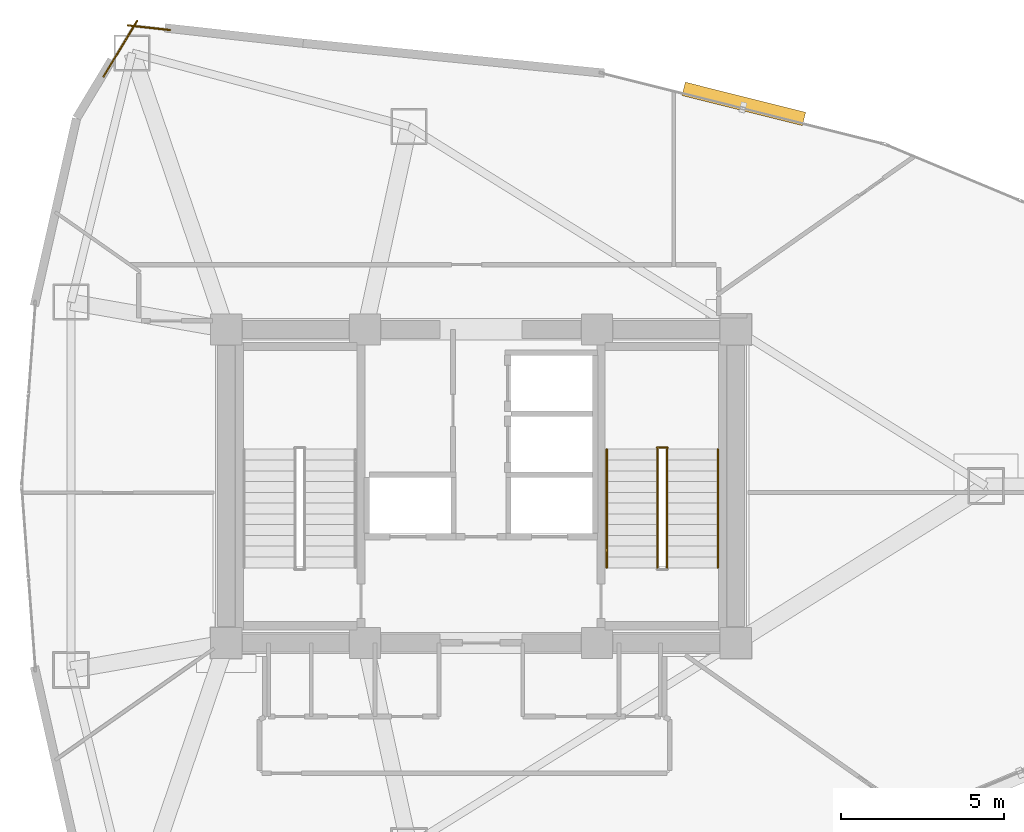
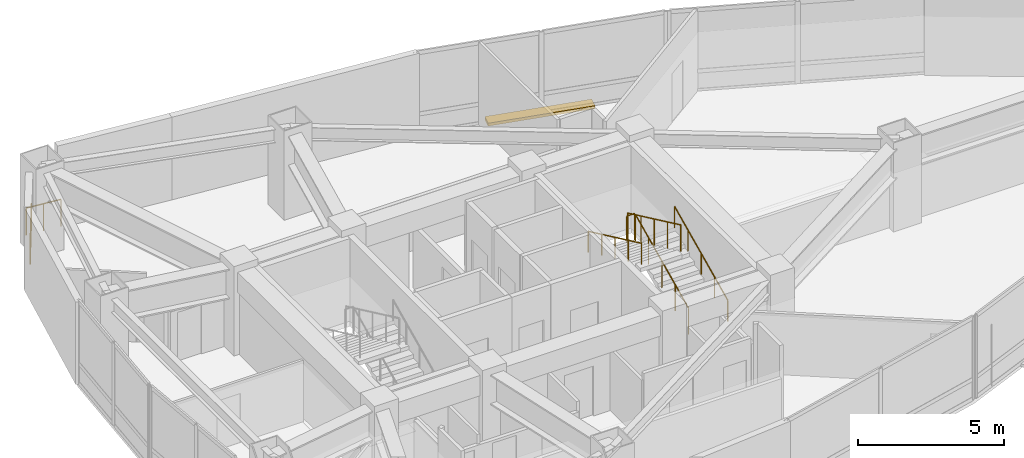
# One storey, part 17 of 18: 7 railings, 1 shading device.
"""IFC4 building model written with IfcOpenShell, lengths in metres."""

from ifc_helpers import new_model, si_unit, direction, frame, origin, origin_2d, place, context, subcontext, project, spatial, rectangle, circle, extrude, material, layer, layer_set, type_object, element, save


model = new_model("IFC4")

# Units and contexts
model_context = context("Model", 3, precision=1e-05, world=origin(), true_north=direction((0.0, 1.0)))
body_context = subcontext(model_context, "Body", "Model", "MODEL_VIEW")
ifc_project = project(units=[si_unit("LENGTHUNIT", "METRE"), si_unit("AREAUNIT", "SQUARE_METRE"), si_unit("VOLUMEUNIT", "CUBIC_METRE"), si_unit("PLANEANGLEUNIT", "RADIAN"), si_unit("MASSUNIT", "GRAM", prefix="KILO")], contexts=[model_context])

# Site, building, storey
site_placement = place(None, origin())
site = spatial("IfcSite", under=ifc_project, at=site_placement, CompositionType="ELEMENT")
building_placement = place(site_placement, origin())
building = spatial("IfcBuilding", under=site, at=building_placement, Name="Menara Vayukalpa", CompositionType="ELEMENT")
storey_placement = place(building_placement, frame((0.0, 0.0, 169.199951171875)))
storey = spatial("IfcBuildingStorey", under=building, at=storey_placement, Name="L42", CompositionType="ELEMENT", Elevation=169.199951171875)

# Railings
ifc_material_1 = material(Name="Laminated Glass and Stainless Steel 316 Guardrail", Category="steel")
railing_type_1 = type_object("IfcRailingType", Name="RLG-EXT115", PredefinedType="GUARDRAIL", material=ifc_material_1)
railing_1_placement = place(storey_placement, frame((16.074951171875, 35.964111328125, 0.0)))
element("IfcRailing", 1, at=railing_1_placement, inside=storey, type_object=railing_type_1, Name="L42 Column Corner Spandrel Guardrail 07-1", PredefinedType="GUARDRAIL", context=body_context, shape_type="SweptSolid", body=[
    extrude(circle(Radius=0.02392578125, at=origin_2d()), frame((0.0, 0.0, 1.1259765625), z_axis=(-0.99393179446, 0.109998127083, 0.0), x_axis=(-0.109998127083, -0.99393179446, 0.0)), (0.0, 0.0, 1.0), 1.29833984375),
    extrude(circle(Radius=0.02099609375, at=origin_2d()), origin(), (0.0, 0.0, 1.0), 1.101806640625),
    extrude(circle(Radius=0.02099609375, at=origin_2d()), frame((-0.645263671875, 0.0712890625, 0.0)), (0.0, 0.0, 1.0), 1.101806640625),
    extrude(circle(Radius=0.02099609375, at=origin_2d()), frame((-1.29052734375, 0.142822265625, 0.0)), (0.0, 0.0, 1.0), 1.101806640625),
])
railing_2_placement = place(storey_placement, frame((15.074462890625, 36.250244140625, 0.0)))
element("IfcRailing", 2, at=railing_2_placement, inside=storey, type_object=railing_type_1, Name="L42 Column Corner Spandrel Guardrail 08-1", PredefinedType="GUARDRAIL", context=body_context, shape_type="SweptSolid", body=[
    extrude(circle(Radius=0.02392578125, at=origin_2d()), frame((0.0, 0.0, 1.1259765625), z_axis=(-0.516238473258, -0.856444883649, 0.0), x_axis=(0.856444883649, -0.516238473258, 0.0)), (0.0, 0.0, 1.0), 1.9970703125),
    extrude(circle(Radius=0.02099609375, at=origin_2d()), origin(), (0.0, 0.0, 1.0), 1.101806640625),
    extrude(circle(Radius=0.02099609375, at=origin_2d()), frame((-0.515625, -0.855224609375, 0.0)), (0.0, 0.0, 1.0), 1.101806640625),
    extrude(circle(Radius=0.02099609375, at=origin_2d()), frame((-1.031005859375, -1.71044921875, 0.0)), (0.0, 0.0, 1.0), 1.101806640625),
])
ifc_material_2 = material(Name="Powder-Coated Galvanised Steel Guardrail", Category="steel")
railing_type_2 = type_object("IfcRailingType", Name="RLG-STG110", PredefinedType="GUARDRAIL", material=ifc_material_2)
railing_3_placement = place(storey_placement, frame((31.300048828125, 19.5, 0.155029296875)))
element("IfcRailing", 3, at=railing_3_placement, inside=storey, type_object=railing_type_2, Name="L42 ST-2 stair guard 1", PredefinedType="GUARDRAIL", context=body_context, shape_type="SweptSolid", body=[
    extrude(circle(Radius=0.02392578125, at=origin_2d()), frame((0.0, 0.0, 1.09619140625), z_axis=(0.0, 0.90511648382, 0.425163675209), x_axis=(-1.0, 0.0, 0.0)), (0.0, 0.0, 1.0), 4.010498046875),
    extrude(circle(Radius=0.02099609375, at=origin_2d()), origin(), (0.0, 0.0, 1.0), 1.072021484375),
    extrude(circle(Radius=0.02099609375, at=origin_2d()), frame((0.0, 0.907470703125, 0.42626953125)), (0.0, 0.0, 1.0), 1.072021484375),
    extrude(circle(Radius=0.02099609375, at=origin_2d()), frame((0.0, 1.81494140625, 0.8525390625)), (0.0, 0.0, 1.0), 1.072021484375),
    extrude(circle(Radius=0.02099609375, at=origin_2d()), frame((0.0, 2.722412109375, 1.27880859375)), (0.0, 0.0, 1.0), 1.072021484375),
    extrude(circle(Radius=0.02099609375, at=origin_2d()), frame((0.0, 3.6298828125, 1.705078125)), (0.0, 0.0, 1.0), 1.072021484375),
])
railing_4_placement = place(storey_placement, frame((31.31005859375, 23.179931640625, 1.860107421875)))
element("IfcRailing", 4, at=railing_4_placement, inside=storey, type_object=railing_type_2, Name="L42 ST-2 stair guard 2", PredefinedType="GUARDRAIL", context=body_context, shape_type="SweptSolid", body=[
    extrude(circle(Radius=0.02392578125, at=origin_2d()), frame((0.0, 0.0, 1.09619140625), z_axis=(-1.0, 0.0, 0.0), x_axis=(0.0, -1.0, 0.0)), (0.0, 0.0, 1.0), 0.320068359375),
    extrude(circle(Radius=0.02099609375, at=origin_2d()), origin(), (0.0, 0.0, 1.0), 1.072021484375),
    extrude(circle(Radius=0.02099609375, at=origin_2d()), frame((-0.320068359375, 0.0, 0.0)), (0.0, 0.0, 1.0), 1.072021484375),
])
railing_5_placement = place(storey_placement, frame((31.0, 23.1298828125, 2.01513671875)))
element("IfcRailing", 5, at=railing_5_placement, inside=storey, type_object=railing_type_2, Name="L42 ST-2 stair guard 3", PredefinedType="GUARDRAIL", context=body_context, shape_type="SweptSolid", body=[
    extrude(circle(Radius=0.02392578125, at=origin_2d()), frame((0.0, 0.0, 1.09619140625), z_axis=(0.0, -0.90513990983, 0.425113800803), x_axis=(1.0, 0.0, 0.0)), (0.0, 0.0, 1.0), 4.01025390625),
    extrude(circle(Radius=0.02099609375, at=origin_2d()), origin(), (0.0, 0.0, 1.0), 1.072021484375),
    extrude(circle(Radius=0.02099609375, at=origin_2d()), frame((0.0, -0.907470703125, 0.42626953125)), (0.0, 0.0, 1.0), 1.072021484375),
    extrude(circle(Radius=0.02099609375, at=origin_2d()), frame((0.0, -1.81494140625, 0.8525390625)), (0.0, 0.0, 1.0), 1.072021484375),
    extrude(circle(Radius=0.02099609375, at=origin_2d()), frame((0.0, -2.722412109375, 1.278564453125)), (0.0, 0.0, 1.0), 1.072021484375),
    extrude(circle(Radius=0.02099609375, at=origin_2d()), frame((0.0, -3.6298828125, 1.704833984375)), (0.0, 0.0, 1.0), 1.072021484375),
])
ifc_material_3 = material(Name="Stainless Steel 316 Tubular Handrail", Category="steel")
railing_type_3 = type_object("IfcRailingType", Name="RLG-STH090", PredefinedType="HANDRAIL", material=ifc_material_3)
railing_6_placement = place(storey_placement, frame((32.85009765625, 19.5, 0.155029296875)))
element("IfcRailing", 6, at=railing_6_placement, inside=storey, type_object=railing_type_3, Name="L42 ST-2 stair handrail 1", PredefinedType="HANDRAIL", context=body_context, shape_type="SweptSolid", body=[
    extrude(circle(Radius=0.02392578125, at=origin_2d()), frame((0.0, 0.0, 0.8759765625), z_axis=(0.0, 0.90511648382, 0.425163675209), x_axis=(-1.0, 0.0, 0.0)), (0.0, 0.0, 1.0), 4.010498046875),
    extrude(circle(Radius=0.02099609375, at=origin_2d()), origin(), (0.0, 0.0, 1.0), 0.851806640625),
    extrude(circle(Radius=0.02099609375, at=origin_2d()), frame((0.0, 0.907470703125, 0.42626953125)), (0.0, 0.0, 1.0), 0.851806640625),
    extrude(circle(Radius=0.02099609375, at=origin_2d()), frame((0.0, 1.81494140625, 0.8525390625)), (0.0, 0.0, 1.0), 0.851806640625),
    extrude(circle(Radius=0.02099609375, at=origin_2d()), frame((0.0, 2.722412109375, 1.27880859375)), (0.0, 0.0, 1.0), 0.851806640625),
    extrude(circle(Radius=0.02099609375, at=origin_2d()), frame((0.0, 3.6298828125, 1.705078125)), (0.0, 0.0, 1.0), 0.851806640625),
])
railing_7_placement = place(storey_placement, frame((29.449951171875, 23.1298828125, 2.01513671875)))
element("IfcRailing", 7, at=railing_7_placement, inside=storey, type_object=railing_type_3, Name="L42 ST-2 stair handrail 2", PredefinedType="HANDRAIL", context=body_context, shape_type="SweptSolid", body=[
    extrude(circle(Radius=0.02392578125, at=origin_2d()), frame((0.0, 0.0, 0.8759765625), z_axis=(0.0, -0.90513990983, 0.425113800803), x_axis=(1.0, 0.0, 0.0)), (0.0, 0.0, 1.0), 4.01025390625),
    extrude(circle(Radius=0.02099609375, at=origin_2d()), origin(), (0.0, 0.0, 1.0), 0.851806640625),
    extrude(circle(Radius=0.02099609375, at=origin_2d()), frame((0.0, -0.907470703125, 0.42626953125)), (0.0, 0.0, 1.0), 0.851806640625),
    extrude(circle(Radius=0.02099609375, at=origin_2d()), frame((0.0, -1.81494140625, 0.8525390625)), (0.0, 0.0, 1.0), 0.851806640625),
    extrude(circle(Radius=0.02099609375, at=origin_2d()), frame((0.0, -2.722412109375, 1.278564453125)), (0.0, 0.0, 1.0), 0.851806640625),
    extrude(circle(Radius=0.02099609375, at=origin_2d()), frame((0.0, -3.6298828125, 1.704833984375)), (0.0, 0.0, 1.0), 0.851806640625),
])

# Shading device
ifc_material_4 = material(Name="Glazed Terracotta Ceramic Baguette Extrusion", Category="masonry")
ifc_layer = layer(ifc_material_4, 0.1201171875)
ifc_layer_set = layer_set([ifc_layer], Name="Glazed Terracotta Ceramic Baguette Extrusion")
shading_device_type = type_object("IfcShadingDeviceType", Name="SHD-SS1", PredefinedType="USERDEFINED", material=ifc_layer_set)
shading_device_placement = place(storey_placement, frame((33.647705078125, 33.703125, -0.10009765625), z_axis=(0.0, 0.0, 1.0), x_axis=(-0.969999438853, 0.243107154615, 0.0)))
element("IfcShadingDevice", 8, at=shading_device_placement, inside=storey, type_object=shading_device_type, Name="L42 Horizontal Terracotta Sunshade Band 05", ObjectType="SUNSHADE", PredefinedType="USERDEFINED", context=body_context, shape_type="SweptSolid", body=[
    extrude(rectangle(XDim=3.800048828125, YDim=0.419921875, at=origin_2d()), origin(), (0.0, 0.0, 1.0), 0.1201171875),
])

save(model, "model.ifc")
